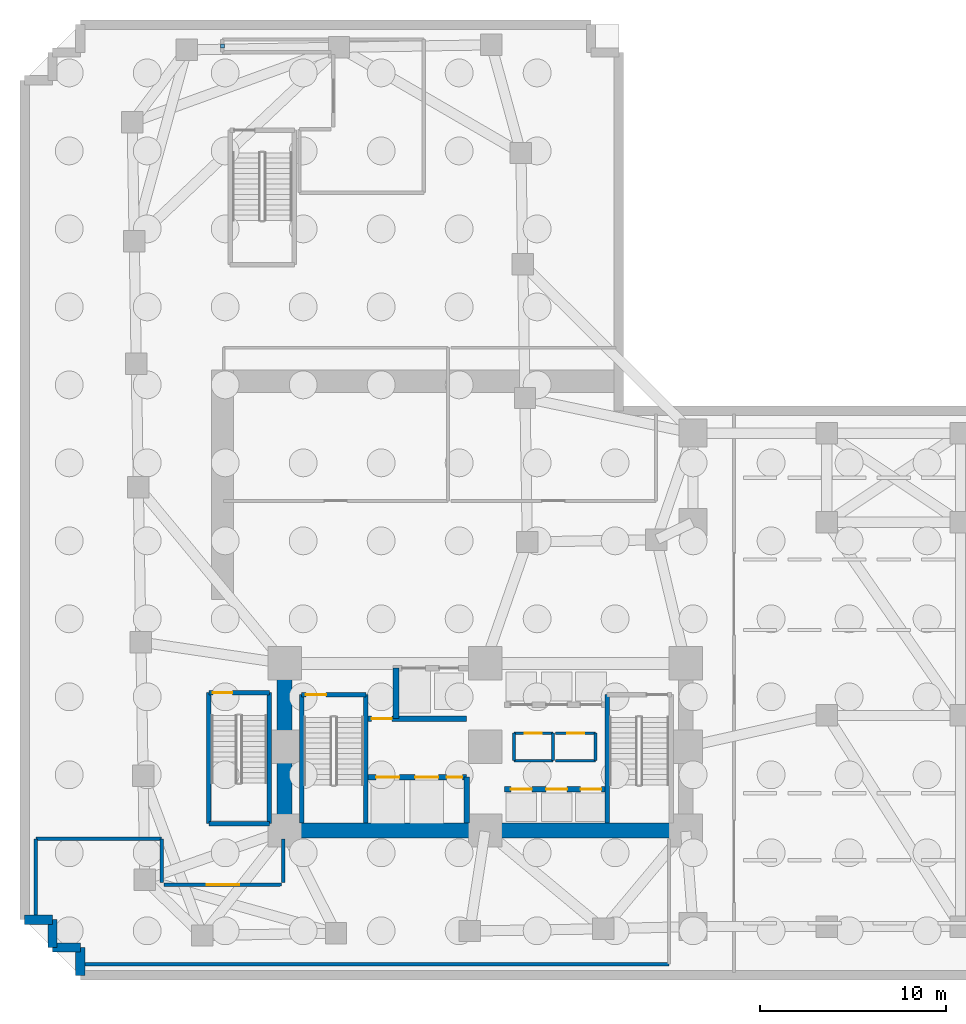
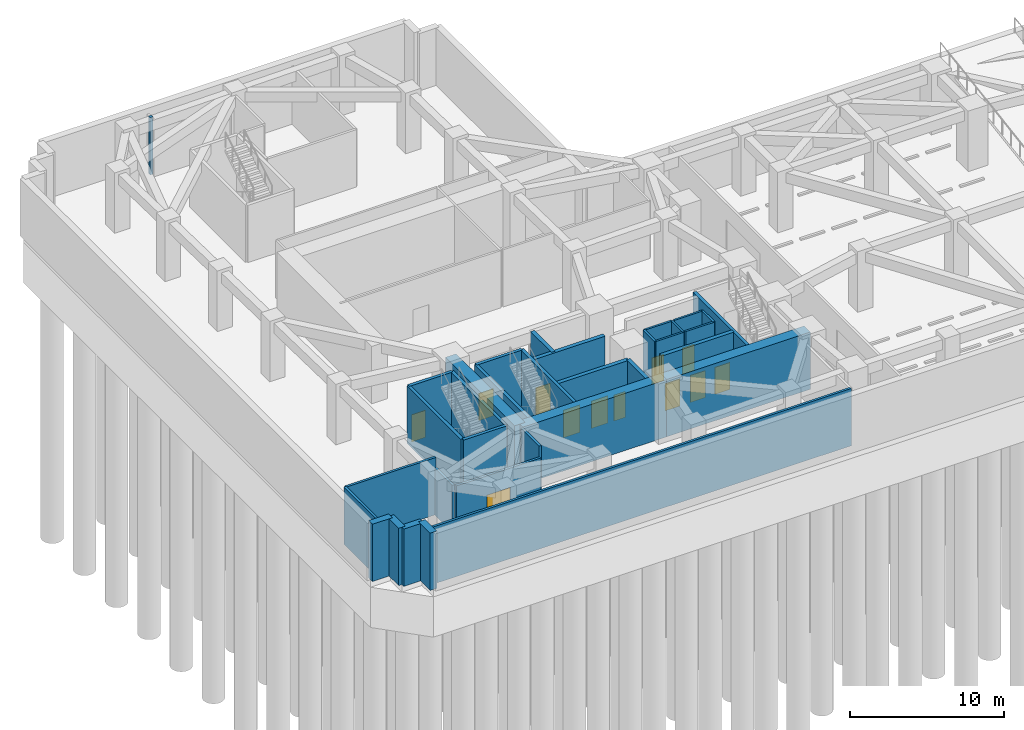
# One storey, part 4 of 11: 33 walls, 12 doors, 1 plate, 12 openings.
"""IFC4 building model written with IfcOpenShell, lengths in metres."""

from ifc_helpers import new_model, si_unit, direction, frame, frame_2d, origin, origin_2d, place, context, subcontext, project, spatial, rectangle, extrude, material, layer, layer_set, type_object, element, fill, save


model = new_model("IFC4")

# Units and contexts
model_context = context("Model", 3, precision=1e-05, world=origin(), true_north=direction((0.0, 1.0)))
body_context = subcontext(model_context, "Body", "Model", "MODEL_VIEW")
ifc_project = project(units=[si_unit("LENGTHUNIT", "METRE"), si_unit("AREAUNIT", "SQUARE_METRE"), si_unit("VOLUMEUNIT", "CUBIC_METRE"), si_unit("PLANEANGLEUNIT", "RADIAN"), si_unit("MASSUNIT", "GRAM", prefix="KILO")], contexts=[model_context])

# Site, building, storey
site_placement = place(None, origin())
site = spatial("IfcSite", under=ifc_project, at=site_placement, CompositionType="ELEMENT")
building_placement = place(site_placement, origin())
building = spatial("IfcBuilding", under=site, at=building_placement, Name="Gaonmaruhae Medical Tower", CompositionType="ELEMENT")
storey_placement = place(building_placement, frame((0.0, 0.0, -9.60009765625)))
storey = spatial("IfcBuildingStorey", under=building, at=storey_placement, Name="B02", CompositionType="ELEMENT", Elevation=-9.60009765625)

# Plate
ifc_material_1 = material(Name="Anodised aluminium 6063-T6", Category="aluminium")
ifc_layer_1 = layer(ifc_material_1, 0.011962890625)
ifc_layer_set_1 = layer_set([ifc_layer_1], Name="Anodised aluminium 6063-T6")
plate_type = type_object("IfcPlateType", Name="PP-01 Interior Partition Corner Stiffener Plate", PredefinedType="SHEET", material=ifc_layer_set_1)
plate_placement = place(storey_placement, frame((10.64990234375, 50.06005859375, 0.0), z_axis=(0.0, 0.0, 1.0), x_axis=(0.0, 1.0, 0.0)))
element("IfcPlate", 1, at=plate_placement, inside=storey, type_object=plate_type, Name="B02 Partition Corner Stiffener Plate PLT-B02-JGP-PW017", PredefinedType="SHEET", context=body_context, shape_type="SweptSolid", body=[
    extrude(rectangle(XDim=0.219970703125, YDim=0.219970703125, at=origin_2d()), origin(), (0.0, 0.0, 1.0), 4.550048828125),
])

# Walls
ifc_material_2 = material(Name="Concrete C60/75", Category="concrete")
ifc_layer_2 = layer(ifc_material_2, 0.800048828125)
ifc_layer_set_2 = layer_set([ifc_layer_2], Name="Concrete C60/75")
wall_type_1 = type_object("IfcWallType", Name="CW-800 Lower Core Shear Wall", PredefinedType="SHEAR", material=ifc_layer_set_2)
for number, where, z_axis, x_axis, name in (
    (2, (14.0, 7.800048828125, 0.0), (0.0, 0.0, 1.0), (1.0, 0.0, 0.0), "B02 Core Shear Wall CSW-S1"),
    (3, (24.800048828125, 7.800048828125, 0.0), (0.0, 0.0, 1.0), (1.0, 0.0, 0.0), "B02 Core Shear Wall CSW-S2"),
):
    element("IfcWall", number, at=place(storey_placement, frame(where, z_axis=z_axis, x_axis=x_axis)), inside=storey, type_object=wall_type_1, Name=name, PredefinedType="SHEAR", context=body_context, shape_type="SweptSolid", body=[
        extrude(rectangle(XDim=10.800048828125, YDim=0.800048828125, at=frame_2d((5.39990234375, 0.0))), origin(), (0.0, 0.0, 1.0), 4.550048828125),
    ])
wall_1_placement = place(storey_placement, frame((14.0, 16.800048828125, 0.0), z_axis=(0.0, 0.0, 1.0), x_axis=(0.0, -1.0, 0.0)))
element("IfcWall", 4, at=wall_1_placement, inside=storey, type_object=wall_type_1, Name="B02 Core Shear Wall CSW-W1", PredefinedType="SHEAR", context=body_context, shape_type="SweptSolid", body=[
    extrude(rectangle(XDim=9.0, YDim=0.800048828125, at=frame_2d((4.5, 0.0))), origin(), (0.0, 0.0, 1.0), 4.550048828125),
])
ifc_material_3 = material(Name="Gypsum board partition", Category="gypsum")
ifc_layer_3 = layer(ifc_material_3, 0.14990234375)
ifc_layer_set_3 = layer_set([ifc_layer_3], Name="Gypsum board partition")
wall_type_2 = type_object("IfcWallType", Name="PW-150 Rated Clinical Corridor Partition", PredefinedType="PARTITIONING", material=ifc_layer_set_3)
wall_2_placement = place(storey_placement, frame((26.35009765625, 11.56005859375, 0.0), z_axis=(0.0, 0.0, 1.0), x_axis=(0.0, 1.0, 0.0)))
element("IfcWall", 5, at=wall_2_placement, inside=storey, type_object=wall_type_2, Name="B02 Interior Partition B02-CS1-1", PredefinedType="PARTITIONING", context=body_context, shape_type="SweptSolid", body=[
    extrude(rectangle(XDim=1.47998046875, YDim=0.14990234375, at=frame_2d((0.739990234375, 0.0))), origin(), (0.0, 0.0, 1.0), 4.550048828125),
])

# Wall, opening, door
wall_3_placement = place(storey_placement, frame((26.35009765625, 13.0400390625, 0.0), z_axis=(0.0, 0.0, 1.0), x_axis=(1.0, 0.0, 0.0)))
wall_3 = element("IfcWall", 6, at=wall_3_placement, inside=storey, type_object=wall_type_2, Name="B02 Interior Partition B02-CS1-2", PredefinedType="PARTITIONING", context=body_context, shape_type="SweptSolid", body=[
    extrude(rectangle(XDim=2.099853515625, YDim=0.14990234375, at=frame_2d((1.0498046875, 0.0))), origin(), (0.0, 0.0, 1.0), 4.550048828125),
])
opening_1_placement = place(wall_3_placement, frame((0.590087890625, 0.0, 0.0)))
opening_1 = element("IfcOpeningElement", 7, at=opening_1_placement, cuts=wall_3, Name="Opening UD-01", PredefinedType="OPENING", context=body_context, shape_type="SweptSolid", body=[
    extrude(rectangle(XDim=0.919921875, YDim=2.10009765625, at=frame_2d((0.4599609375, 1.050048828125))), frame((0.0, 0.0849609375, 0.0), z_axis=(0.0, -1.0, 0.0), x_axis=(1.0, 0.0, 0.0)), (0.0, 0.0, 1.0), 0.169921875),
])
ifc_material_4 = material(Name="Powder-coated steel utility door", Category="steel")
door_type_1 = type_object("IfcDoorType", Name="UD-01 Toilet, Utility & Housekeeping Door 920x2100", OperationType="NOTDEFINED", PredefinedType="DOOR", material=ifc_material_4)
door_1_placement = place(opening_1_placement, origin())
door_1 = element("IfcDoor", 8, at=door_1_placement, inside=storey, type_object=door_type_1, Name="B02 Accessible Staff Toilet Door", OperationType="SINGLE_SWING_RIGHT", OverallHeight=2.10009765625, OverallWidth=0.919921875, PredefinedType="DOOR", context=body_context, shape_type="SweptSolid", body=[
    extrude(rectangle(XDim=0.919921875, YDim=2.10009765625, at=frame_2d((0.4599609375, 1.050048828125))), frame((0.0, 0.02490234375, 0.0), z_axis=(0.0, -1.0, 0.0), x_axis=(1.0, 0.0, 0.0)), (0.0, 0.0, 1.0), 0.050048828125),
])
fill(opening_1, door_1)

# Walls
wall_4_placement = place(storey_placement, frame((28.449951171875, 13.0400390625, 0.0), z_axis=(0.0, 0.0, 1.0), x_axis=(0.0, -1.0, 0.0)))
element("IfcWall", 9, at=wall_4_placement, inside=storey, type_object=wall_type_2, Name="B02 Interior Partition B02-CS1-3", PredefinedType="PARTITIONING", context=body_context, shape_type="SweptSolid", body=[
    extrude(rectangle(XDim=1.47998046875, YDim=0.14990234375, at=frame_2d((0.739990234375, 0.0))), origin(), (0.0, 0.0, 1.0), 4.550048828125),
])
wall_5_placement = place(storey_placement, frame((28.449951171875, 11.56005859375, 0.0), z_axis=(0.0, 0.0, 1.0), x_axis=(-1.0, 0.0, 0.0)))
element("IfcWall", 10, at=wall_5_placement, inside=storey, type_object=wall_type_2, Name="B02 Interior Partition B02-CS1-4", PredefinedType="PARTITIONING", context=body_context, shape_type="SweptSolid", body=[
    extrude(rectangle(XDim=2.099853515625, YDim=0.14990234375, at=frame_2d((1.0498046875, 0.0))), origin(), (0.0, 0.0, 1.0), 4.550048828125),
])

# Wall, opening, door
wall_6_placement = place(storey_placement, frame((28.60009765625, 13.0400390625, 0.0), z_axis=(0.0, 0.0, 1.0), x_axis=(1.0, 0.0, 0.0)))
wall_6 = element("IfcWall", 11, at=wall_6_placement, inside=storey, type_object=wall_type_2, Name="B02 Interior Partition B02-CS2-5", PredefinedType="PARTITIONING", context=body_context, shape_type="SweptSolid", body=[
    extrude(rectangle(XDim=2.14990234375, YDim=0.14990234375, at=frame_2d((1.074951171875, 0.0))), origin(), (0.0, 0.0, 1.0), 4.550048828125),
])
opening_2_placement = place(wall_6_placement, frame((0.614990234375, 0.0, 0.0)))
opening_2 = element("IfcOpeningElement", 12, at=opening_2_placement, cuts=wall_6, Name="Opening UD-01", PredefinedType="OPENING", context=body_context, shape_type="SweptSolid", body=[
    extrude(rectangle(XDim=0.919921875, YDim=2.10009765625, at=frame_2d((0.4599609375, 1.050048828125))), frame((0.0, 0.0849609375, 0.0), z_axis=(0.0, -1.0, 0.0), x_axis=(1.0, 0.0, 0.0)), (0.0, 0.0, 1.0), 0.169921875),
])
door_2_placement = place(opening_2_placement, origin())
door_2 = element("IfcDoor", 13, at=door_2_placement, inside=storey, type_object=door_type_1, Name="B02 Biomedical Telemetry Closet Door", OperationType="SINGLE_SWING_LEFT", OverallHeight=2.10009765625, OverallWidth=0.919921875, PredefinedType="DOOR", context=body_context, shape_type="SweptSolid", body=[
    extrude(rectangle(XDim=0.919921875, YDim=2.10009765625, at=frame_2d((0.4599609375, 1.050048828125))), frame((0.0, 0.02490234375, 0.0), z_axis=(0.0, -1.0, 0.0), x_axis=(1.0, 0.0, 0.0)), (0.0, 0.0, 1.0), 0.050048828125),
])
fill(opening_2, door_2)

# Walls
wall_7_placement = place(storey_placement, frame((30.75, 13.0400390625, 0.0), z_axis=(0.0, 0.0, 1.0), x_axis=(0.0, -1.0, 0.0)))
element("IfcWall", 14, at=wall_7_placement, inside=storey, type_object=wall_type_2, Name="B02 Interior Partition B02-CS2-6", PredefinedType="PARTITIONING", context=body_context, shape_type="SweptSolid", body=[
    extrude(rectangle(XDim=1.47998046875, YDim=0.14990234375, at=frame_2d((0.739990234375, 0.0))), origin(), (0.0, 0.0, 1.0), 4.550048828125),
])
wall_8_placement = place(storey_placement, frame((30.75, 11.56005859375, 0.0), z_axis=(0.0, 0.0, 1.0), x_axis=(-1.0, 0.0, 0.0)))
element("IfcWall", 15, at=wall_8_placement, inside=storey, type_object=wall_type_2, Name="B02 Interior Partition B02-CS2-7", PredefinedType="PARTITIONING", context=body_context, shape_type="SweptSolid", body=[
    extrude(rectangle(XDim=2.14990234375, YDim=0.14990234375, at=frame_2d((1.074951171875, 0.0))), origin(), (0.0, 0.0, 1.0), 4.550048828125),
])
ifc_layer_4 = layer(ifc_material_3, 0.179931640625)
ifc_layer_set_4 = layer_set([ifc_layer_4], Name="Gypsum board partition")
wall_type_3 = type_object("IfcWallType", Name="PW-180 Refuge & Plant Acoustic Fire Partition", PredefinedType="PARTITIONING", material=ifc_layer_set_4)
wall_9_placement = place(storey_placement, frame((0.60009765625, 3.159912109375, 0.0), z_axis=(0.0, 0.0, 1.0), x_axis=(0.0, 1.0, 0.0)))
element("IfcWall", 16, at=wall_9_placement, inside=storey, type_object=wall_type_3, Name="B02 Interior Partition B02-ELEC-23", PredefinedType="PARTITIONING", context=body_context, shape_type="SweptSolid", body=[
    extrude(rectangle(XDim=4.190185546875, YDim=0.179931640625, at=frame_2d((2.09521484375, 0.0))), origin(), (0.0, 0.0, 1.0), 4.550048828125),
])
wall_10_placement = place(storey_placement, frame((0.60009765625, 7.35009765625, 0.0), z_axis=(0.0, 0.0, 1.0), x_axis=(1.0, 0.0, 0.0)))
element("IfcWall", 17, at=wall_10_placement, inside=storey, type_object=wall_type_3, Name="B02 Interior Partition B02-ELEC-24", PredefinedType="PARTITIONING", context=body_context, shape_type="SweptSolid", body=[
    extrude(rectangle(XDim=6.77978515625, YDim=0.179931640625, at=frame_2d((3.389892578125, 0.0))), origin(), (0.0, 0.0, 1.0), 4.550048828125),
])
wall_11_placement = place(storey_placement, frame((7.3798828125, 7.35009765625, 0.0), z_axis=(0.0, 0.0, 1.0), x_axis=(0.0, -1.0, 0.0)))
element("IfcWall", 18, at=wall_11_placement, inside=storey, type_object=wall_type_3, Name="B02 Interior Partition B02-ELEC-25", PredefinedType="PARTITIONING", context=body_context, shape_type="SweptSolid", body=[
    extrude(rectangle(XDim=2.35009765625, YDim=0.179931640625, at=frame_2d((1.175048828125, 0.0))), origin(), (0.0, 0.0, 1.0), 3.735107421875),
])

# Wall, opening, door
wall_12_placement = place(storey_placement, frame((7.5, 4.8798828125, 0.0), z_axis=(0.0, 0.0, 1.0), x_axis=(0.999998986882, 0.00142345872, 0.0)))
wall_12 = element("IfcWall", 19, at=wall_12_placement, inside=storey, type_object=wall_type_3, Name="B02 Interior Partition B02-ELEC-26", PredefinedType="PARTITIONING", context=body_context, shape_type="SweptSolid", body=[
    extrude(rectangle(XDim=6.345947265625, YDim=0.179931640625, at=frame_2d((3.1728515625, 0.0))), origin(), (0.0, 0.0, 1.0), 3.735107421875),
])
opening_3_placement = place(wall_12_placement, frame((2.298095703125, 0.0, 0.0)))
opening_3 = element("IfcOpeningElement", 20, at=opening_3_placement, cuts=wall_12, Name="Opening PD-01", PredefinedType="OPENING", context=body_context, shape_type="SweptSolid", body=[
    extrude(rectangle(XDim=1.75, YDim=2.199951171875, at=frame_2d((0.875, 1.10009765625))), frame((0.0, 0.10009765625, 0.0), z_axis=(0.0, -1.0, 0.0), x_axis=(1.0, 0.0, 0.0)), (0.0, 0.0, 1.0), 0.199951171875),
])
ifc_material_5 = material(Name="Acoustic galvanised steel plant door", Category="steel")
door_type_2 = type_object("IfcDoorType", Name="PD-01 Mechanical Plant Double Equipment Door 1750x2200", OperationType="NOTDEFINED", PredefinedType="DOOR", material=ifc_material_5)
door_3_placement = place(opening_3_placement, origin())
door_3 = element("IfcDoor", 21, at=door_3_placement, inside=storey, type_object=door_type_2, Name="B02 Basement Main Low-Voltage Switchroom Door", OperationType="DOUBLE_DOOR_SINGLE_SWING", OverallHeight=2.199951171875, OverallWidth=1.75, PredefinedType="DOOR", context=body_context, shape_type="SweptSolid", body=[
    extrude(rectangle(XDim=1.75, YDim=2.199951171875, at=frame_2d((0.875, 1.10009765625))), frame((0.0, 0.02490234375, 0.0), z_axis=(0.0, -1.0, 0.0), x_axis=(1.0, 0.0, 0.0)), (0.0, 0.0, 1.0), 0.050048828125),
])
fill(opening_3, door_3)

# Walls
wall_13_placement = place(storey_placement, frame((13.919921875, 5.0, 0.0), z_axis=(0.0, 0.0, 1.0), x_axis=(0.0, 1.0, 0.0)))
element("IfcWall", 22, at=wall_13_placement, inside=storey, type_object=wall_type_3, Name="B02 Interior Partition B02-ELEC-27", PredefinedType="PARTITIONING", context=body_context, shape_type="SweptSolid", body=[
    extrude(rectangle(XDim=2.35009765625, YDim=0.179931640625, at=frame_2d((1.175048828125, 0.0))), origin(), (0.0, 0.0, 1.0), 4.550048828125),
])
wall_14_placement = place(storey_placement, frame((34.699951171875, 0.60009765625, 0.0), z_axis=(0.0, 0.0, 1.0), x_axis=(-1.0, 0.0, 0.0)))
element("IfcWall", 23, at=wall_14_placement, inside=storey, type_object=wall_type_3, Name="B02 Interior Partition B02-ELEC-29", PredefinedType="PARTITIONING", context=body_context, shape_type="SweptSolid", body=[
    extrude(rectangle(XDim=31.5400390625, YDim=0.179931640625, at=frame_2d((15.77001953125, 0.0))), origin(), (0.0, 0.0, 1.0), 4.550048828125),
])
ifc_material_6 = material(Name="Concrete C50/60", Category="concrete")
ifc_layer_5 = layer(ifc_material_6, 0.5)
ifc_layer_set_5 = layer_set([ifc_layer_5], Name="Concrete C50/60")
wall_type_4 = type_object("IfcWallType", Name="RW-500 Basement Perimeter Retaining Wall", PredefinedType="USERDEFINED", material=ifc_layer_set_5)
for number, where, z_axis, x_axis, name in (
    (24, (1.5, 3.0, 0.0), (0.0, 0.0, 1.0), (-1.0, 0.0, 0.0), "B02 Perimeter Retaining Wall RW19"),
    (25, (1.5, 1.5, 0.0), (0.0, 0.0, 1.0), (0.0, 1.0, 0.0), "B02 Perimeter Retaining Wall RW20"),
    (26, (3.0, 1.5, 0.0), (0.0, 0.0, 1.0), (-1.0, 0.0, 0.0), "B02 Perimeter Retaining Wall RW21"),
    (27, (3.0, 0.0, 0.0), (0.0, 0.0, 1.0), (0.0, 1.0, 0.0), "B02 Perimeter Retaining Wall RW22"),
):
    element("IfcWall", number, at=place(storey_placement, frame(where, z_axis=z_axis, x_axis=x_axis)), inside=storey, type_object=wall_type_4, Name=name, ObjectType="RETAININGWALL", PredefinedType="USERDEFINED", context=body_context, shape_type="SweptSolid", body=[
        extrude(rectangle(XDim=1.5, YDim=0.5, at=frame_2d((0.75, 0.0))), origin(), (0.0, 0.0, 1.0), 4.550048828125),
    ])

# Wall, opening, door
ifc_layer_6 = layer(ifc_material_6, 0.239990234375)
ifc_layer_set_6 = layer_set([ifc_layer_6], Name="Concrete C50/60")
wall_type_5 = type_object("IfcWallType", Name="SW-240 Dogleg Stair Tight Shaft Wall", PredefinedType="SOLIDWALL", material=ifc_layer_set_6)
wall_15_placement = place(storey_placement, frame((14.919921875, 15.1201171875, 0.0), z_axis=(0.0, 0.0, 1.0), x_axis=(1.0, 0.0, 0.0)))
wall_15 = element("IfcWall", 28, at=wall_15_placement, inside=storey, type_object=wall_type_5, Name="B02 ST-01 Stair Shaft Wall SHW-ST-01-N", PredefinedType="SOLIDWALL", context=body_context, shape_type="SweptSolid", body=[
    extrude(rectangle(XDim=3.4599609375, YDim=0.239990234375, at=frame_2d((1.72998046875, 0.0))), origin(), (0.0, 0.0, 1.0), 4.550048828125),
])
opening_4_placement = place(wall_15_placement, frame((0.219970703125, 0.0, 0.0)))
opening_4 = element("IfcOpeningElement", 29, at=opening_4_placement, cuts=wall_15, Name="Opening FD-01", PredefinedType="OPENING", context=body_context, shape_type="SweptSolid", body=[
    extrude(rectangle(XDim=1.10009765625, YDim=2.14990234375, at=frame_2d((0.550048828125, 1.074951171875))), frame((0.0, 0.1298828125, 0.0), z_axis=(0.0, -1.0, 0.0), x_axis=(1.0, 0.0, 0.0)), (0.0, 0.0, 1.0), 0.260009765625),
])
ifc_material_7 = material(Name="Powder-coated steel fire door", Category="steel")
door_type_3 = type_object("IfcDoorType", Name="FD-01 Escape Stair Protected Fire Door 1100x2150", OperationType="NOTDEFINED", PredefinedType="DOOR", material=ifc_material_7)
door_4_placement = place(opening_4_placement, origin())
door_4 = element("IfcDoor", 30, at=door_4_placement, inside=storey, type_object=door_type_3, Name="B02 ST-01 Protected Escape Stair Door", OperationType="SINGLE_SWING_RIGHT", OverallHeight=2.14990234375, OverallWidth=1.10009765625, PredefinedType="DOOR", context=body_context, shape_type="SweptSolid", body=[
    extrude(rectangle(XDim=1.10009765625, YDim=2.14990234375, at=frame_2d((0.550048828125, 1.074951171875))), frame((0.0, 0.02490234375, 0.0), z_axis=(0.0, -1.0, 0.0), x_axis=(1.0, 0.0, 0.0)), (0.0, 0.0, 1.0), 0.050048828125),
])
fill(opening_4, door_4)

# Walls
for number, where, z_axis, x_axis, name in (
    (31, (18.3798828125, 15.1201171875, 0.0), (0.0, 0.0, 1.0), (0.0, -1.0, 0.0), "B02 ST-01 Stair Shaft Wall SHW-ST-01-E"),
    (32, (14.919921875, 8.199951171875, 0.0), (0.0, 0.0, 1.0), (0.0, 1.0, 0.0), "B02 ST-01 Stair Shaft Wall SHW-ST-01-W"),
    (33, (31.3701171875, 8.199951171875, 0.0), (0.0, 0.0, 1.0), (0.0, 1.0, 0.0), "B02 ST-02 Stair Shaft Wall SHW-ST-02-W"),
):
    element("IfcWall", number, at=place(storey_placement, frame(where, z_axis=z_axis, x_axis=x_axis)), inside=storey, type_object=wall_type_5, Name=name, PredefinedType="SOLIDWALL", context=body_context, shape_type="SweptSolid", body=[
        extrude(rectangle(XDim=6.920166015625, YDim=0.239990234375, at=frame_2d((3.4599609375, 0.0))), origin(), (0.0, 0.0, 1.0), 4.550048828125),
    ])

# Wall, opening, door
wall_16_placement = place(storey_placement, frame((9.919921875, 15.219970703125, 0.0), z_axis=(0.0, 0.0, 1.0), x_axis=(1.0, 0.0, 0.0)))
wall_16 = element("IfcWall", 34, at=wall_16_placement, inside=storey, type_object=wall_type_5, Name="B02 ST-03 Stair Shaft Wall SHW-ST-03-N", PredefinedType="SOLIDWALL", context=body_context, shape_type="SweptSolid", body=[
    extrude(rectangle(XDim=3.260009765625, YDim=0.239990234375, at=frame_2d((1.6298828125, 0.0))), origin(), (0.0, 0.0, 1.0), 4.550048828125),
])
opening_5_placement = place(wall_16_placement, frame((0.219970703125, 0.0, 0.0)))
opening_5 = element("IfcOpeningElement", 35, at=opening_5_placement, cuts=wall_16, Name="Opening FD-02", PredefinedType="OPENING", context=body_context, shape_type="SweptSolid", body=[
    extrude(rectangle(XDim=1.050048828125, YDim=2.14990234375, at=frame_2d((0.52490234375, 1.074951171875))), frame((0.0, 0.1298828125, 0.0), z_axis=(0.0, -1.0, 0.0), x_axis=(1.0, 0.0, 0.0)), (0.0, 0.0, 1.0), 0.260009765625),
])
door_type_4 = type_object("IfcDoorType", Name="FD-02 Secondary Stair Fire Door 1050x2150", OperationType="NOTDEFINED", PredefinedType="DOOR", material=ifc_material_7)
door_5_placement = place(opening_5_placement, origin())
door_5 = element("IfcDoor", 36, at=door_5_placement, inside=storey, type_object=door_type_4, Name="B02 ST-03 Protected Escape Stair Door", OperationType="SINGLE_SWING_RIGHT", OverallHeight=2.14990234375, OverallWidth=1.050048828125, PredefinedType="DOOR", context=body_context, shape_type="SweptSolid", body=[
    extrude(rectangle(XDim=1.050048828125, YDim=2.14990234375, at=frame_2d((0.52490234375, 1.074951171875))), frame((0.0, 0.02490234375, 0.0), z_axis=(0.0, -1.0, 0.0), x_axis=(1.0, 0.0, 0.0)), (0.0, 0.0, 1.0), 0.050048828125),
])
fill(opening_5, door_5)

# Walls
wall_17_placement = place(storey_placement, frame((13.179931640625, 15.219970703125, 0.0), z_axis=(0.0, 0.0, 1.0), x_axis=(0.0, -1.0, 0.0)))
element("IfcWall", 37, at=wall_17_placement, inside=storey, type_object=wall_type_5, Name="B02 ST-03 Stair Shaft Wall SHW-ST-03-E", PredefinedType="SOLIDWALL", context=body_context, shape_type="SweptSolid", body=[
    extrude(rectangle(XDim=7.050048828125, YDim=0.239990234375, at=frame_2d((3.52490234375, 0.0))), origin(), (0.0, 0.0, 1.0), 4.550048828125),
])
wall_18_placement = place(storey_placement, frame((13.179931640625, 8.169921875, 0.0), z_axis=(0.0, 0.0, 1.0), x_axis=(-1.0, 0.0, 0.0)))
element("IfcWall", 38, at=wall_18_placement, inside=storey, type_object=wall_type_5, Name="B02 ST-03 Stair Shaft Wall SHW-ST-03-S", PredefinedType="SOLIDWALL", context=body_context, shape_type="SweptSolid", body=[
    extrude(rectangle(XDim=3.260009765625, YDim=0.239990234375, at=frame_2d((1.6298828125, 0.0))), origin(), (0.0, 0.0, 1.0), 4.550048828125),
])
wall_19_placement = place(storey_placement, frame((9.919921875, 8.169921875, 0.0), z_axis=(0.0, 0.0, 1.0), x_axis=(0.0, 1.0, 0.0)))
element("IfcWall", 39, at=wall_19_placement, inside=storey, type_object=wall_type_5, Name="B02 ST-03 Stair Shaft Wall SHW-ST-03-W", PredefinedType="SOLIDWALL", context=body_context, shape_type="SweptSolid", body=[
    extrude(rectangle(XDim=7.050048828125, YDim=0.239990234375, at=frame_2d((3.52490234375, 0.0))), origin(), (0.0, 0.0, 1.0), 4.550048828125),
])

# Wall, openings, doors
ifc_layer_7 = layer(ifc_material_6, 0.300048828125)
ifc_layer_set_7 = layer_set([ifc_layer_7], Name="Concrete C50/60")
wall_type_6 = type_object("IfcWallType", Name="SW-300 Stair & Lift Hoistway Shaft Wall", PredefinedType="SOLIDWALL", material=ifc_layer_set_7)
wall_20_placement = place(storey_placement, frame((18.5, 10.679931640625, 0.0), z_axis=(0.0, 0.0, 1.0), x_axis=(1.0, 0.0, 0.0)))
wall_20 = element("IfcWall", 40, at=wall_20_placement, inside=storey, type_object=wall_type_6, Name="B02 Shaft Enclosure Wall SHW-FFN", PredefinedType="SOLIDWALL", context=body_context, shape_type="SweptSolid", body=[
    extrude(rectangle(XDim=5.300048828125, YDim=0.300048828125, at=frame_2d((2.64990234375, 0.0))), origin(), (0.0, 0.0, 1.0), 4.550048828125),
])
opening_6_placement = place(wall_20_placement, frame((4.219970703125, 0.0, 0.0)))
opening_6 = element("IfcOpeningElement", 41, at=opening_6_placement, cuts=wall_20, Name="Opening AD-01", PredefinedType="OPENING", context=body_context, shape_type="SweptSolid", body=[
    extrude(rectangle(XDim=0.860107421875, YDim=2.06005859375, at=frame_2d((0.43017578125, 1.030029296875))), frame((0.0, 0.16015625, 0.0), z_axis=(0.0, -1.0, 0.0), x_axis=(1.0, 0.0, 0.0)), (0.0, 0.0, 1.0), 0.320068359375),
])
opening_7_placement = place(wall_20_placement, frame((0.425048828125, 0.0, 0.0)))
opening_7 = element("IfcOpeningElement", 42, at=opening_7_placement, cuts=wall_20, Name="Opening LD-F1", PredefinedType="OPENING", context=body_context, shape_type="SweptSolid", body=[
    extrude(rectangle(XDim=1.25, YDim=2.179931640625, at=frame_2d((0.625, 1.08984375))), frame((0.0, 0.16015625, 0.0), z_axis=(0.0, -1.0, 0.0), x_axis=(1.0, 0.0, 0.0)), (0.0, 0.0, 1.0), 0.320068359375),
])
opening_8_placement = place(wall_20_placement, frame((2.52490234375, 0.0, 0.0)))
opening_8 = element("IfcOpeningElement", 43, at=opening_8_placement, cuts=wall_20, Name="Opening LD-F1", PredefinedType="OPENING", context=body_context, shape_type="SweptSolid", body=[
    extrude(rectangle(XDim=1.25, YDim=2.179931640625, at=frame_2d((0.625, 1.08984375))), frame((0.0, 0.16015625, 0.0), z_axis=(0.0, -1.0, 0.0), x_axis=(1.0, 0.0, 0.0)), (0.0, 0.0, 1.0), 0.320068359375),
])
ifc_material_8 = material(Name="Powder-coated steel access door", Category="steel")
door_type_5 = type_object("IfcDoorType", Name="AD-01 Riser & Closet Access Fire Door 860x2060", OperationType="NOTDEFINED", PredefinedType="DOOR", material=ifc_material_8)
door_6_placement = place(opening_6_placement, origin())
door_6 = element("IfcDoor", 44, at=door_6_placement, inside=storey, type_object=door_type_5, Name="B02 Medical Gas and MEP Riser Access Door", OperationType="SINGLE_SWING_RIGHT", OverallHeight=2.06005859375, OverallWidth=0.860107421875, PredefinedType="DOOR", context=body_context, shape_type="SweptSolid", body=[
    extrude(rectangle(XDim=0.860107421875, YDim=2.06005859375, at=frame_2d((0.43017578125, 1.030029296875))), frame((0.0, 0.02490234375, 0.0), z_axis=(0.0, -1.0, 0.0), x_axis=(1.0, 0.0, 0.0)), (0.0, 0.0, 1.0), 0.050048828125),
])
fill(opening_6, door_6)
ifc_material_9 = material(Name="Brushed stainless steel 316L landing door", Category="steel")
door_type_6 = type_object("IfcDoorType", Name="LD-F1 Firefighting & Bed Lift Sliding Landing Door 1250x2180", OperationType="NOTDEFINED", PredefinedType="DOOR", material=ifc_material_9)
door_7_placement = place(opening_7_placement, origin())
door_7 = element("IfcDoor", 45, at=door_7_placement, inside=storey, type_object=door_type_6, Name="B02 Firefighting Lift Landing Door FFL-01", OperationType="DOUBLE_DOOR_SLIDING", OverallHeight=2.179931640625, OverallWidth=1.25, PredefinedType="DOOR", context=body_context, shape_type="SweptSolid", body=[
    extrude(rectangle(XDim=1.25, YDim=2.179931640625, at=frame_2d((0.625, 1.08984375))), frame((0.0, 0.02490234375, 0.0), z_axis=(0.0, -1.0, 0.0), x_axis=(1.0, 0.0, 0.0)), (0.0, 0.0, 1.0), 0.050048828125),
])
fill(opening_7, door_7)
door_8_placement = place(opening_8_placement, origin())
door_8 = element("IfcDoor", 46, at=door_8_placement, inside=storey, type_object=door_type_6, Name="B02 Firefighting Lift Landing Door FFL-02", OperationType="DOUBLE_DOOR_SLIDING", OverallHeight=2.179931640625, OverallWidth=1.25, PredefinedType="DOOR", context=body_context, shape_type="SweptSolid", body=[
    extrude(rectangle(XDim=1.25, YDim=2.179931640625, at=frame_2d((0.625, 1.08984375))), frame((0.0, 0.02490234375, 0.0), z_axis=(0.0, -1.0, 0.0), x_axis=(1.0, 0.0, 0.0)), (0.0, 0.0, 1.0), 0.050048828125),
])
fill(opening_8, door_8)

# Wall, opening, door
wall_21_placement = place(storey_placement, frame((18.5, 13.820068359375, 0.0), z_axis=(0.0, 0.0, 1.0), x_axis=(1.0, 0.0, 0.0)))
wall_21 = element("IfcWall", 47, at=wall_21_placement, inside=storey, type_object=wall_type_6, Name="B02 Shaft Enclosure Wall SHW-FFL", PredefinedType="SOLIDWALL", context=body_context, shape_type="SweptSolid", body=[
    extrude(rectangle(XDim=5.300048828125, YDim=0.300048828125, at=frame_2d((2.64990234375, 0.0))), origin(), (0.0, 0.0, 1.0), 4.550048828125),
])
opening_9_placement = place(wall_21_placement, frame((0.179931640625, 0.0, 0.0)))
opening_9 = element("IfcOpeningElement", 48, at=opening_9_placement, cuts=wall_21, Name="Opening FD-01", PredefinedType="OPENING", context=body_context, shape_type="SweptSolid", body=[
    extrude(rectangle(XDim=1.10009765625, YDim=2.14990234375, at=frame_2d((0.550048828125, 1.074951171875))), frame((0.0, 0.16015625, 0.0), z_axis=(0.0, -1.0, 0.0), x_axis=(1.0, 0.0, 0.0)), (0.0, 0.0, 1.0), 0.320068359375),
])
door_9_placement = place(opening_9_placement, origin())
door_9 = element("IfcDoor", 49, at=door_9_placement, inside=storey, type_object=door_type_3, Name="B02 Firefighting Lobby Smoke Door", OperationType="SINGLE_SWING_LEFT", OverallHeight=2.14990234375, OverallWidth=1.10009765625, PredefinedType="DOOR", context=body_context, shape_type="SweptSolid", body=[
    extrude(rectangle(XDim=1.10009765625, YDim=2.14990234375, at=frame_2d((0.550048828125, 1.074951171875))), frame((0.0, 0.02490234375, 0.0), z_axis=(0.0, -1.0, 0.0), x_axis=(1.0, 0.0, 0.0)), (0.0, 0.0, 1.0), 0.050048828125),
])
fill(opening_9, door_9)

# Walls
wall_22_placement = place(storey_placement, frame((23.800048828125, 8.199951171875, 0.0), z_axis=(0.0, 0.0, 1.0), x_axis=(0.0, 1.0, 0.0)))
element("IfcWall", 50, at=wall_22_placement, inside=storey, type_object=wall_type_6, Name="B02 Shaft Enclosure Wall SHW-FFE", PredefinedType="SOLIDWALL", context=body_context, shape_type="SweptSolid", body=[
    extrude(rectangle(XDim=2.47998046875, YDim=0.300048828125, at=frame_2d((1.239990234375, 0.0))), origin(), (0.0, 0.0, 1.0), 4.550048828125),
])
wall_23_placement = place(storey_placement, frame((20.0, 13.820068359375, 0.0), z_axis=(0.0, 0.0, 1.0), x_axis=(0.0, 1.0, 0.0)))
element("IfcWall", 51, at=wall_23_placement, inside=storey, type_object=wall_type_6, Name="B02 Shaft Enclosure Wall SHW-BDW", PredefinedType="SOLIDWALL", context=body_context, shape_type="SweptSolid", body=[
    extrude(rectangle(XDim=2.72998046875, YDim=0.300048828125, at=frame_2d((1.364990234375, 0.0))), origin(), (0.0, 0.0, 1.0), 4.550048828125),
])

# Wall, openings, doors
wall_24_placement = place(storey_placement, frame((25.85009765625, 10.02001953125, 0.0), z_axis=(0.0, 0.0, 1.0), x_axis=(1.0, 0.0, 0.0)))
wall_24 = element("IfcWall", 52, at=wall_24_placement, inside=storey, type_object=wall_type_6, Name="B02 Shaft Enclosure Wall SHW-PLS", PredefinedType="SOLIDWALL", context=body_context, shape_type="SweptSolid", body=[
    extrude(rectangle(XDim=5.449951171875, YDim=0.300048828125, at=frame_2d((2.72509765625, 0.0))), origin(), (0.0, 0.0, 1.0), 4.550048828125),
])
opening_10_placement = place(wall_24_placement, frame((0.340087890625, 0.0, 0.0)))
opening_10 = element("IfcOpeningElement", 53, at=opening_10_placement, cuts=wall_24, Name="Opening LD-P1", PredefinedType="OPENING", context=body_context, shape_type="SweptSolid", body=[
    extrude(rectangle(XDim=1.1201171875, YDim=2.14990234375, at=frame_2d((0.56005859375, 1.074951171875))), frame((0.0, 0.16015625, 0.0), z_axis=(0.0, -1.0, 0.0), x_axis=(1.0, 0.0, 0.0)), (0.0, 0.0, 1.0), 0.320068359375),
])
opening_11_placement = place(wall_24_placement, frame((2.239990234375, 0.0, 0.0)))
opening_11 = element("IfcOpeningElement", 54, at=opening_11_placement, cuts=wall_24, Name="Opening LD-P1", PredefinedType="OPENING", context=body_context, shape_type="SweptSolid", body=[
    extrude(rectangle(XDim=1.1201171875, YDim=2.14990234375, at=frame_2d((0.56005859375, 1.074951171875))), frame((0.0, 0.16015625, 0.0), z_axis=(0.0, -1.0, 0.0), x_axis=(1.0, 0.0, 0.0)), (0.0, 0.0, 1.0), 0.320068359375),
])
opening_12_placement = place(wall_24_placement, frame((4.090087890625, 0.0, 0.0)))
opening_12 = element("IfcOpeningElement", 55, at=opening_12_placement, cuts=wall_24, Name="Opening LD-P1", PredefinedType="OPENING", context=body_context, shape_type="SweptSolid", body=[
    extrude(rectangle(XDim=1.1201171875, YDim=2.14990234375, at=frame_2d((0.56005859375, 1.074951171875))), frame((0.0, 0.16015625, 0.0), z_axis=(0.0, -1.0, 0.0), x_axis=(1.0, 0.0, 0.0)), (0.0, 0.0, 1.0), 0.320068359375),
])
ifc_material_10 = material(Name="Brushed stainless steel 304 landing door", Category="steel")
door_type_7 = type_object("IfcDoorType", Name="LD-P1 Passenger Lift Sliding Landing Door 1120x2150", OperationType="NOTDEFINED", PredefinedType="DOOR", material=ifc_material_10)
door_10_placement = place(opening_10_placement, origin())
door_10 = element("IfcDoor", 56, at=door_10_placement, inside=storey, type_object=door_type_7, Name="B02 Passenger Lift Landing Door PL-L1", OperationType="DOUBLE_DOOR_SLIDING", OverallHeight=2.14990234375, OverallWidth=1.1201171875, PredefinedType="DOOR", context=body_context, shape_type="SweptSolid", body=[
    extrude(rectangle(XDim=1.1201171875, YDim=2.14990234375, at=frame_2d((0.56005859375, 1.074951171875))), frame((0.0, 0.02490234375, 0.0), z_axis=(0.0, -1.0, 0.0), x_axis=(1.0, 0.0, 0.0)), (0.0, 0.0, 1.0), 0.050048828125),
])
fill(opening_10, door_10)
door_11_placement = place(opening_11_placement, origin())
door_11 = element("IfcDoor", 57, at=door_11_placement, inside=storey, type_object=door_type_7, Name="B02 Passenger Lift Landing Door PL-L2", OperationType="DOUBLE_DOOR_SLIDING", OverallHeight=2.14990234375, OverallWidth=1.1201171875, PredefinedType="DOOR", context=body_context, shape_type="SweptSolid", body=[
    extrude(rectangle(XDim=1.1201171875, YDim=2.14990234375, at=frame_2d((0.56005859375, 1.074951171875))), frame((0.0, 0.02490234375, 0.0), z_axis=(0.0, -1.0, 0.0), x_axis=(1.0, 0.0, 0.0)), (0.0, 0.0, 1.0), 0.050048828125),
])
fill(opening_11, door_11)
door_12_placement = place(opening_12_placement, origin())
door_12 = element("IfcDoor", 58, at=door_12_placement, inside=storey, type_object=door_type_7, Name="B02 Passenger Lift Landing Door PL-H1", OperationType="DOUBLE_DOOR_SLIDING", OverallHeight=2.14990234375, OverallWidth=1.1201171875, PredefinedType="DOOR", context=body_context, shape_type="SweptSolid", body=[
    extrude(rectangle(XDim=1.1201171875, YDim=2.14990234375, at=frame_2d((0.56005859375, 1.074951171875))), frame((0.0, 0.02490234375, 0.0), z_axis=(0.0, -1.0, 0.0), x_axis=(1.0, 0.0, 0.0)), (0.0, 0.0, 1.0), 0.050048828125),
])
fill(opening_12, door_12)

save(model, "model.ifc")
